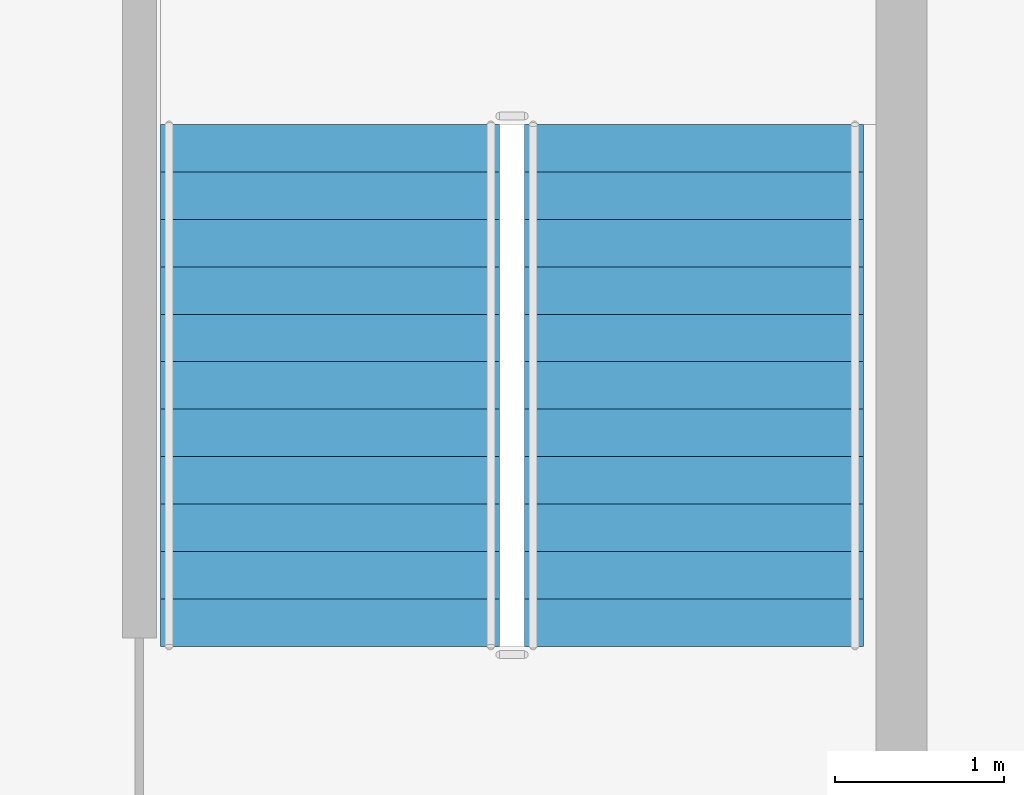
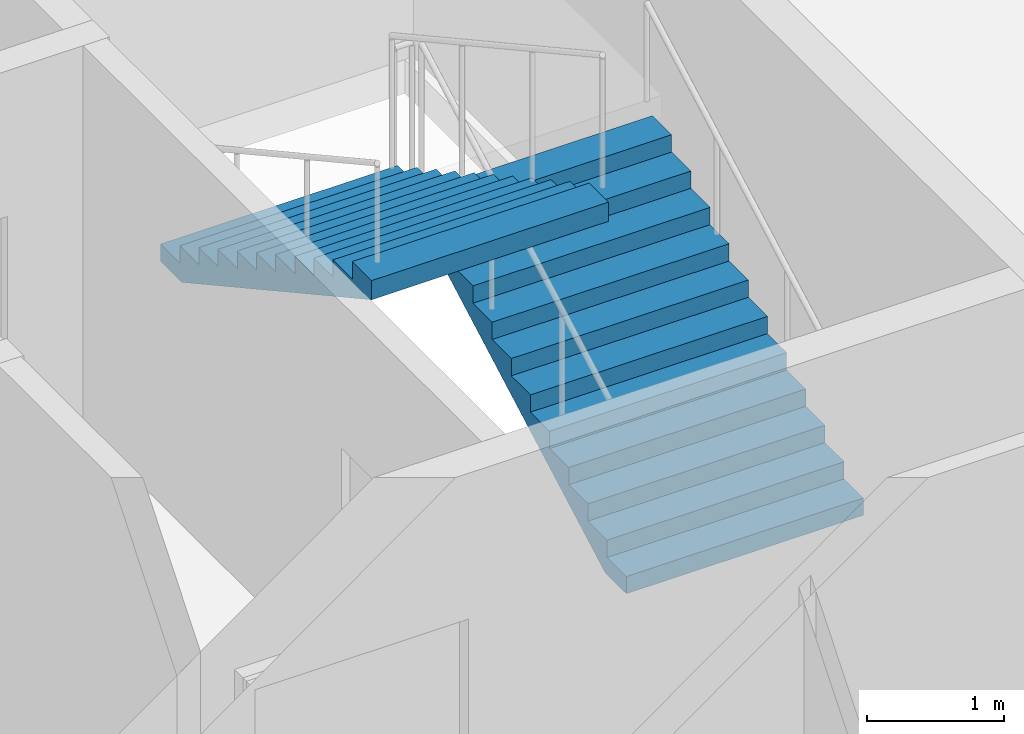
# One storey, part 10 of 17: 2 stair flights, 1 element without a shape of its own.
"""IFC4 building model written with IfcOpenShell, lengths in metres."""

from ifc_helpers import new_model, si_unit, direction, frame, origin, place, context, subcontext, project, spatial, polygons, material, type_object, element, aggregate, save


model = new_model("IFC4")

# Units and contexts
model_context = context("Model", 3, precision=1e-05, world=origin(), true_north=direction((0.0, 1.0)))
body_context = subcontext(model_context, "Body", "Model", "MODEL_VIEW")
ifc_project = project(units=[si_unit("LENGTHUNIT", "METRE"), si_unit("AREAUNIT", "SQUARE_METRE"), si_unit("VOLUMEUNIT", "CUBIC_METRE"), si_unit("PLANEANGLEUNIT", "RADIAN"), si_unit("MASSUNIT", "GRAM", prefix="KILO")], contexts=[model_context])

# Site, building, storey
site_placement = place(None, origin())
site = spatial("IfcSite", under=ifc_project, at=site_placement, CompositionType="ELEMENT")
building_placement = place(site_placement, origin())
building = spatial("IfcBuilding", under=site, at=building_placement, Name="Caravel Reach Hotel and Residences", CompositionType="ELEMENT")
storey_placement = place(building_placement, frame((0.0, 0.0, 222.0)))
storey = spatial("IfcBuildingStorey", under=building, at=storey_placement, Name="L56", CompositionType="ELEMENT", Elevation=222.0)

# Stair, stair flights
ifc_material_1 = material(Name="Concrete C40", Category="concrete")
stair_type = type_object("IfcStairType", Name="Core stair", PredefinedType="HALF_TURN_STAIR", material=ifc_material_1)
stair_placement = place(storey_placement, origin())
stair = element("IfcStair", 1, at=stair_placement, inside=storey, type_object=stair_type, Name="L56 Exit stair B", PredefinedType="HALF_TURN_STAIR")
ifc_material_2 = material(Name="Concrete C40", Category="concrete")
stair_flight_type = type_object("IfcStairFlightType", Name="Core stair flight", PredefinedType="STRAIGHT", material=ifc_material_2)
stair_flight_1_placement = place(storey_placement, frame((43.77490234375, 24.64990234375, 0.0), z_axis=(0.0, 0.0, 1.0), x_axis=(0.0, 1.0, 0.0)))
stair_flight_1 = element("IfcStairFlight", 2, at=stair_flight_1_placement, type_object=stair_flight_type, Name="ST-B flight 1", NumberOfRisers=12, NumberOfTreads=11, PredefinedType="STRAIGHT", RiserHeight=0.154166667, TreadLength=0.28, context=body_context, shape_type="Tessellation", body=[
    polygons([(0.3107950034306102, 1.0, 0.0), (0.3107950034306102, 0.6666666666666667, 0.0), (0.3107950034306102, 0.33333333333333337, 0.0), (0.3107950034306102, 0.0, 0.0), (0.3107950034306102, -0.33333333333333326, 0.0), (0.3107950034306102, -0.6666666666666667, 0.0), (0.3107950034306102, -1.0, 0.0), (3.081, 1.0, 1.524711087717319), (3.081, 0.6666666666666667, 1.524711087717319), (3.081, 0.33333333333333337, 1.524711087717319), (3.081, 0.0, 1.524711087717319), (3.081, -0.33333333333333326, 1.524711087717319), (3.081, -0.6666666666666667, 1.524711087717319), (3.081, -1.0, 1.524711087717319), (3.081, 1.0, 1.695833337), (3.081, 0.6666666666666667, 1.695833337), (3.081, 0.33333333333333337, 1.695833337), (3.081, 0.0, 1.695833337), (3.081, -0.33333333333333326, 1.695833337), (3.081, -0.6666666666666667, 1.695833337), (3.081, -1.0, 1.695833337), (2.8000000000000003, 1.0, 1.695833337), (2.8000000000000003, 0.6666666666666667, 1.695833337), (2.8000000000000003, 0.33333333333333337, 1.695833337), (2.8000000000000003, 0.0, 1.695833337), (2.8000000000000003, -0.33333333333333326, 1.695833337), (2.8000000000000003, -0.6666666666666667, 1.695833337), (2.8000000000000003, -1.0, 1.695833337), (2.8000000000000003, 1.0, 1.5416666700000001), (2.8000000000000003, 0.6666666666666667, 1.5416666700000001), (2.8000000000000003, 0.33333333333333337, 1.5416666700000001), (2.8000000000000003, 0.0, 1.5416666700000001), (2.8000000000000003, -0.33333333333333326, 1.5416666700000001), (2.8000000000000003, -0.6666666666666667, 1.5416666700000001), (2.8000000000000003, -1.0, 1.5416666700000001), (2.5200000000000005, 1.0, 1.5416666700000001), (2.5200000000000005, 0.6666666666666667, 1.5416666700000001), (2.5200000000000005, 0.33333333333333337, 1.5416666700000001), (2.5200000000000005, 0.0, 1.5416666700000001), (2.5200000000000005, -0.33333333333333326, 1.5416666700000001), (2.5200000000000005, -0.6666666666666667, 1.5416666700000001), (2.5200000000000005, -1.0, 1.5416666700000001), (2.5200000000000005, 1.0, 1.387500003), (2.5200000000000005, 0.6666666666666667, 1.387500003), (2.5200000000000005, 0.33333333333333337, 1.387500003), (2.5200000000000005, 0.0, 1.387500003), (2.5200000000000005, -0.33333333333333326, 1.387500003), (2.5200000000000005, -0.6666666666666667, 1.387500003), (2.5200000000000005, -1.0, 1.387500003), (2.24, 1.0, 1.387500003), (2.24, 0.6666666666666667, 1.387500003), (2.24, 0.33333333333333337, 1.387500003), (2.24, 0.0, 1.387500003), (2.24, -0.33333333333333326, 1.387500003), (2.24, -0.6666666666666667, 1.387500003), (2.24, -1.0, 1.387500003), (2.24, 1.0, 1.233333336), (2.24, 0.6666666666666667, 1.233333336), (2.24, 0.33333333333333337, 1.233333336), (2.24, 0.0, 1.233333336), (2.24, -0.33333333333333326, 1.233333336), (2.24, -0.6666666666666667, 1.233333336), (2.24, -1.0, 1.233333336), (1.9600000000000002, 1.0, 1.233333336), (1.9600000000000002, 0.6666666666666667, 1.233333336), (1.9600000000000002, 0.33333333333333337, 1.233333336), (1.9600000000000002, 0.0, 1.233333336), (1.9600000000000002, -0.33333333333333326, 1.233333336), (1.9600000000000002, -0.6666666666666667, 1.233333336), (1.9600000000000002, -1.0, 1.233333336), (1.9600000000000002, 1.0, 1.0791666690000001), (1.9600000000000002, 0.6666666666666667, 1.0791666690000001), (1.9600000000000002, 0.33333333333333337, 1.0791666690000001), (1.9600000000000002, 0.0, 1.0791666690000001), (1.9600000000000002, -0.33333333333333326, 1.0791666690000001), (1.9600000000000002, -0.6666666666666667, 1.0791666690000001), (1.9600000000000002, -1.0, 1.0791666690000001), (1.6800000000000002, 1.0, 1.0791666690000001), (1.6800000000000002, 0.6666666666666667, 1.0791666690000001), (1.6800000000000002, 0.33333333333333337, 1.0791666690000001), (1.6800000000000002, 0.0, 1.0791666690000001), (1.6800000000000002, -0.33333333333333326, 1.0791666690000001), (1.6800000000000002, -0.6666666666666667, 1.0791666690000001), (1.6800000000000002, -1.0, 1.0791666690000001), (1.6800000000000002, 1.0, 0.925000002), (1.6800000000000002, 0.6666666666666667, 0.925000002), (1.6800000000000002, 0.33333333333333337, 0.925000002), (1.6800000000000002, 0.0, 0.925000002), (1.6800000000000002, -0.33333333333333326, 0.925000002), (1.6800000000000002, -0.6666666666666667, 0.925000002), (1.6800000000000002, -1.0, 0.925000002), (1.4000000000000001, 1.0, 0.925000002), (1.4000000000000001, 0.6666666666666667, 0.925000002), (1.4000000000000001, 0.33333333333333337, 0.925000002), (1.4000000000000001, 0.0, 0.925000002), (1.4000000000000001, -0.33333333333333326, 0.925000002), (1.4000000000000001, -0.6666666666666667, 0.925000002), (1.4000000000000001, -1.0, 0.925000002), (1.4000000000000001, 1.0, 0.7708333350000001), (1.4000000000000001, 0.6666666666666667, 0.7708333350000001), (1.4000000000000001, 0.33333333333333337, 0.7708333350000001), (1.4000000000000001, 0.0, 0.7708333350000001), (1.4000000000000001, -0.33333333333333326, 0.7708333350000001), (1.4000000000000001, -0.6666666666666667, 0.7708333350000001), (1.4000000000000001, -1.0, 0.7708333350000001), (1.12, 1.0, 0.7708333350000001), (1.12, 0.6666666666666667, 0.7708333350000001), (1.12, 0.33333333333333337, 0.7708333350000001), (1.12, 0.0, 0.7708333350000001), (1.12, -0.33333333333333326, 0.7708333350000001), (1.12, -0.6666666666666667, 0.7708333350000001), (1.12, -1.0, 0.7708333350000001), (1.12, 1.0, 0.616666668), (1.12, 0.6666666666666667, 0.616666668), (1.12, 0.33333333333333337, 0.616666668), (1.12, 0.0, 0.616666668), (1.12, -0.33333333333333326, 0.616666668), (1.12, -0.6666666666666667, 0.616666668), (1.12, -1.0, 0.616666668), (0.8400000000000001, 1.0, 0.616666668), (0.8400000000000001, 0.6666666666666667, 0.616666668), (0.8400000000000001, 0.33333333333333337, 0.616666668), (0.8400000000000001, 0.0, 0.616666668), (0.8400000000000001, -0.33333333333333326, 0.616666668), (0.8400000000000001, -0.6666666666666667, 0.616666668), (0.8400000000000001, -1.0, 0.616666668), (0.8400000000000001, 1.0, 0.462500001), (0.8400000000000001, 0.6666666666666667, 0.462500001), (0.8400000000000001, 0.33333333333333337, 0.462500001), (0.8400000000000001, 0.0, 0.462500001), (0.8400000000000001, -0.33333333333333326, 0.462500001), (0.8400000000000001, -0.6666666666666667, 0.462500001), (0.8400000000000001, -1.0, 0.462500001), (0.56, 1.0, 0.462500001), (0.56, 0.6666666666666667, 0.462500001), (0.56, 0.33333333333333337, 0.462500001), (0.56, 0.0, 0.462500001), (0.56, -0.33333333333333326, 0.462500001), (0.56, -0.6666666666666667, 0.462500001), (0.56, -1.0, 0.462500001), (0.56, 1.0, 0.308333334), (0.56, 0.6666666666666667, 0.308333334), (0.56, 0.33333333333333337, 0.308333334), (0.56, 0.0, 0.308333334), (0.56, -0.33333333333333326, 0.308333334), (0.56, -0.6666666666666667, 0.308333334), (0.56, -1.0, 0.308333334), (0.28, 1.0, 0.308333334), (0.28, 0.6666666666666667, 0.308333334), (0.28, 0.33333333333333337, 0.308333334), (0.28, 0.0, 0.308333334), (0.28, -0.33333333333333326, 0.308333334), (0.28, -0.6666666666666667, 0.308333334), (0.28, -1.0, 0.308333334), (0.28, 1.0, 0.154166667), (0.28, 0.6666666666666667, 0.154166667), (0.28, 0.33333333333333337, 0.154166667), (0.28, 0.0, 0.154166667), (0.28, -0.33333333333333326, 0.154166667), (0.28, -0.6666666666666667, 0.154166667), (0.28, -1.0, 0.154166667), (-0.001, 1.0, 0.154166667), (-0.001, 0.6666666666666667, 0.154166667), (-0.001, 0.33333333333333337, 0.154166667), (-0.001, 0.0, 0.154166667), (-0.001, -0.33333333333333326, 0.154166667), (-0.001, -0.6666666666666667, 0.154166667), (-0.001, -1.0, 0.154166667), (-0.001, 1.0, 0.0), (-0.001, 0.6666666666666667, 0.0), (-0.001, 0.33333333333333337, 0.0), (-0.001, 0.0, 0.0), (-0.001, -0.33333333333333326, 0.0), (-0.001, -0.6666666666666667, 0.0), (-0.001, -1.0, 0.0)], [[[169, 162, 155, 148, 141, 134, 127, 120, 113, 106, 99, 92, 85, 78, 71, 64, 57, 50, 43, 36, 29, 22, 15, 8, 1]], [[7, 14, 21, 28, 35, 42, 49, 56, 63, 70, 77, 84, 91, 98, 105, 112, 119, 126, 133, 140, 147, 154, 161, 168, 175]], [[1, 8, 9, 2]], [[2, 9, 10, 3]], [[3, 10, 11, 4]], [[4, 11, 12, 5]], [[5, 12, 13, 6]], [[6, 13, 14, 7]], [[8, 15, 16, 9]], [[9, 16, 17, 10]], [[10, 17, 18, 11]], [[11, 18, 19, 12]], [[12, 19, 20, 13]], [[13, 20, 21, 14]], [[15, 22, 23, 16]], [[16, 23, 24, 17]], [[17, 24, 25, 18]], [[18, 25, 26, 19]], [[19, 26, 27, 20]], [[20, 27, 28, 21]], [[22, 29, 30, 23]], [[23, 30, 31, 24]], [[24, 31, 32, 25]], [[25, 32, 33, 26]], [[26, 33, 34, 27]], [[27, 34, 35, 28]], [[29, 36, 37, 30]], [[30, 37, 38, 31]], [[31, 38, 39, 32]], [[32, 39, 40, 33]], [[33, 40, 41, 34]], [[34, 41, 42, 35]], [[36, 43, 44, 37]], [[37, 44, 45, 38]], [[38, 45, 46, 39]], [[39, 46, 47, 40]], [[40, 47, 48, 41]], [[41, 48, 49, 42]], [[43, 50, 51, 44]], [[44, 51, 52, 45]], [[45, 52, 53, 46]], [[46, 53, 54, 47]], [[47, 54, 55, 48]], [[48, 55, 56, 49]], [[50, 57, 58, 51]], [[51, 58, 59, 52]], [[52, 59, 60, 53]], [[53, 60, 61, 54]], [[54, 61, 62, 55]], [[55, 62, 63, 56]], [[57, 64, 65, 58]], [[58, 65, 66, 59]], [[59, 66, 67, 60]], [[60, 67, 68, 61]], [[61, 68, 69, 62]], [[62, 69, 70, 63]], [[64, 71, 72, 65]], [[65, 72, 73, 66]], [[66, 73, 74, 67]], [[67, 74, 75, 68]], [[68, 75, 76, 69]], [[69, 76, 77, 70]], [[71, 78, 79, 72]], [[72, 79, 80, 73]], [[73, 80, 81, 74]], [[74, 81, 82, 75]], [[75, 82, 83, 76]], [[76, 83, 84, 77]], [[78, 85, 86, 79]], [[79, 86, 87, 80]], [[80, 87, 88, 81]], [[81, 88, 89, 82]], [[82, 89, 90, 83]], [[83, 90, 91, 84]], [[85, 92, 93, 86]], [[86, 93, 94, 87]], [[87, 94, 95, 88]], [[88, 95, 96, 89]], [[89, 96, 97, 90]], [[90, 97, 98, 91]], [[92, 99, 100, 93]], [[93, 100, 101, 94]], [[94, 101, 102, 95]], [[95, 102, 103, 96]], [[96, 103, 104, 97]], [[97, 104, 105, 98]], [[99, 106, 107, 100]], [[100, 107, 108, 101]], [[101, 108, 109, 102]], [[102, 109, 110, 103]], [[103, 110, 111, 104]], [[104, 111, 112, 105]], [[106, 113, 114, 107]], [[107, 114, 115, 108]], [[108, 115, 116, 109]], [[109, 116, 117, 110]], [[110, 117, 118, 111]], [[111, 118, 119, 112]], [[113, 120, 121, 114]], [[114, 121, 122, 115]], [[115, 122, 123, 116]], [[116, 123, 124, 117]], [[117, 124, 125, 118]], [[118, 125, 126, 119]], [[120, 127, 128, 121]], [[121, 128, 129, 122]], [[122, 129, 130, 123]], [[123, 130, 131, 124]], [[124, 131, 132, 125]], [[125, 132, 133, 126]], [[127, 134, 135, 128]], [[128, 135, 136, 129]], [[129, 136, 137, 130]], [[130, 137, 138, 131]], [[131, 138, 139, 132]], [[132, 139, 140, 133]], [[134, 141, 142, 135]], [[135, 142, 143, 136]], [[136, 143, 144, 137]], [[137, 144, 145, 138]], [[138, 145, 146, 139]], [[139, 146, 147, 140]], [[141, 148, 149, 142]], [[142, 149, 150, 143]], [[143, 150, 151, 144]], [[144, 151, 152, 145]], [[145, 152, 153, 146]], [[146, 153, 154, 147]], [[148, 155, 156, 149]], [[149, 156, 157, 150]], [[150, 157, 158, 151]], [[151, 158, 159, 152]], [[152, 159, 160, 153]], [[153, 160, 161, 154]], [[155, 162, 163, 156]], [[156, 163, 164, 157]], [[157, 164, 165, 158]], [[158, 165, 166, 159]], [[159, 166, 167, 160]], [[160, 167, 168, 161]], [[162, 169, 170, 163]], [[163, 170, 171, 164]], [[164, 171, 172, 165]], [[165, 172, 173, 166]], [[166, 173, 174, 167]], [[167, 174, 175, 168]], [[169, 1, 2, 170]], [[170, 2, 3, 171]], [[171, 3, 4, 172]], [[172, 4, 5, 173]], [[173, 5, 6, 174]], [[174, 6, 7, 175]]], closed=True),
])
stair_flight_2_placement = place(storey_placement, frame((41.625, 27.72998046875, 1.85009765625), z_axis=(0.0, 0.0, 1.0), x_axis=(0.0, -1.0, 0.0)))
stair_flight_2 = element("IfcStairFlight", 3, at=stair_flight_2_placement, type_object=stair_flight_type, Name="ST-B flight 2", NumberOfRisers=12, NumberOfTreads=11, PredefinedType="STRAIGHT", RiserHeight=0.154166667, TreadLength=0.28, context=body_context, shape_type="Tessellation", body=[
    polygons([(0.3107950034306102, 1.0, 0.0), (0.3107950034306102, 0.6666666666666667, 0.0), (0.3107950034306102, 0.33333333333333337, 0.0), (0.3107950034306102, 0.0, 0.0), (0.3107950034306102, -0.33333333333333326, 0.0), (0.3107950034306102, -0.6666666666666667, 0.0), (0.3107950034306102, -1.0, 0.0), (3.081, 1.0, 1.524711087717319), (3.081, 0.6666666666666667, 1.524711087717319), (3.081, 0.33333333333333337, 1.524711087717319), (3.081, 0.0, 1.524711087717319), (3.081, -0.33333333333333326, 1.524711087717319), (3.081, -0.6666666666666667, 1.524711087717319), (3.081, -1.0, 1.524711087717319), (3.081, 1.0, 1.695833337), (3.081, 0.6666666666666667, 1.695833337), (3.081, 0.33333333333333337, 1.695833337), (3.081, 0.0, 1.695833337), (3.081, -0.33333333333333326, 1.695833337), (3.081, -0.6666666666666667, 1.695833337), (3.081, -1.0, 1.695833337), (2.8000000000000003, 1.0, 1.695833337), (2.8000000000000003, 0.6666666666666667, 1.695833337), (2.8000000000000003, 0.33333333333333337, 1.695833337), (2.8000000000000003, 0.0, 1.695833337), (2.8000000000000003, -0.33333333333333326, 1.695833337), (2.8000000000000003, -0.6666666666666667, 1.695833337), (2.8000000000000003, -1.0, 1.695833337), (2.8000000000000003, 1.0, 1.5416666700000001), (2.8000000000000003, 0.6666666666666667, 1.5416666700000001), (2.8000000000000003, 0.33333333333333337, 1.5416666700000001), (2.8000000000000003, 0.0, 1.5416666700000001), (2.8000000000000003, -0.33333333333333326, 1.5416666700000001), (2.8000000000000003, -0.6666666666666667, 1.5416666700000001), (2.8000000000000003, -1.0, 1.5416666700000001), (2.5200000000000005, 1.0, 1.5416666700000001), (2.5200000000000005, 0.6666666666666667, 1.5416666700000001), (2.5200000000000005, 0.33333333333333337, 1.5416666700000001), (2.5200000000000005, 0.0, 1.5416666700000001), (2.5200000000000005, -0.33333333333333326, 1.5416666700000001), (2.5200000000000005, -0.6666666666666667, 1.5416666700000001), (2.5200000000000005, -1.0, 1.5416666700000001), (2.5200000000000005, 1.0, 1.387500003), (2.5200000000000005, 0.6666666666666667, 1.387500003), (2.5200000000000005, 0.33333333333333337, 1.387500003), (2.5200000000000005, 0.0, 1.387500003), (2.5200000000000005, -0.33333333333333326, 1.387500003), (2.5200000000000005, -0.6666666666666667, 1.387500003), (2.5200000000000005, -1.0, 1.387500003), (2.24, 1.0, 1.387500003), (2.24, 0.6666666666666667, 1.387500003), (2.24, 0.33333333333333337, 1.387500003), (2.24, 0.0, 1.387500003), (2.24, -0.33333333333333326, 1.387500003), (2.24, -0.6666666666666667, 1.387500003), (2.24, -1.0, 1.387500003), (2.24, 1.0, 1.233333336), (2.24, 0.6666666666666667, 1.233333336), (2.24, 0.33333333333333337, 1.233333336), (2.24, 0.0, 1.233333336), (2.24, -0.33333333333333326, 1.233333336), (2.24, -0.6666666666666667, 1.233333336), (2.24, -1.0, 1.233333336), (1.9600000000000002, 1.0, 1.233333336), (1.9600000000000002, 0.6666666666666667, 1.233333336), (1.9600000000000002, 0.33333333333333337, 1.233333336), (1.9600000000000002, 0.0, 1.233333336), (1.9600000000000002, -0.33333333333333326, 1.233333336), (1.9600000000000002, -0.6666666666666667, 1.233333336), (1.9600000000000002, -1.0, 1.233333336), (1.9600000000000002, 1.0, 1.0791666690000001), (1.9600000000000002, 0.6666666666666667, 1.0791666690000001), (1.9600000000000002, 0.33333333333333337, 1.0791666690000001), (1.9600000000000002, 0.0, 1.0791666690000001), (1.9600000000000002, -0.33333333333333326, 1.0791666690000001), (1.9600000000000002, -0.6666666666666667, 1.0791666690000001), (1.9600000000000002, -1.0, 1.0791666690000001), (1.6800000000000002, 1.0, 1.0791666690000001), (1.6800000000000002, 0.6666666666666667, 1.0791666690000001), (1.6800000000000002, 0.33333333333333337, 1.0791666690000001), (1.6800000000000002, 0.0, 1.0791666690000001), (1.6800000000000002, -0.33333333333333326, 1.0791666690000001), (1.6800000000000002, -0.6666666666666667, 1.0791666690000001), (1.6800000000000002, -1.0, 1.0791666690000001), (1.6800000000000002, 1.0, 0.925000002), (1.6800000000000002, 0.6666666666666667, 0.925000002), (1.6800000000000002, 0.33333333333333337, 0.925000002), (1.6800000000000002, 0.0, 0.925000002), (1.6800000000000002, -0.33333333333333326, 0.925000002), (1.6800000000000002, -0.6666666666666667, 0.925000002), (1.6800000000000002, -1.0, 0.925000002), (1.4000000000000001, 1.0, 0.925000002), (1.4000000000000001, 0.6666666666666667, 0.925000002), (1.4000000000000001, 0.33333333333333337, 0.925000002), (1.4000000000000001, 0.0, 0.925000002), (1.4000000000000001, -0.33333333333333326, 0.925000002), (1.4000000000000001, -0.6666666666666667, 0.925000002), (1.4000000000000001, -1.0, 0.925000002), (1.4000000000000001, 1.0, 0.7708333350000001), (1.4000000000000001, 0.6666666666666667, 0.7708333350000001), (1.4000000000000001, 0.33333333333333337, 0.7708333350000001), (1.4000000000000001, 0.0, 0.7708333350000001), (1.4000000000000001, -0.33333333333333326, 0.7708333350000001), (1.4000000000000001, -0.6666666666666667, 0.7708333350000001), (1.4000000000000001, -1.0, 0.7708333350000001), (1.12, 1.0, 0.7708333350000001), (1.12, 0.6666666666666667, 0.7708333350000001), (1.12, 0.33333333333333337, 0.7708333350000001), (1.12, 0.0, 0.7708333350000001), (1.12, -0.33333333333333326, 0.7708333350000001), (1.12, -0.6666666666666667, 0.7708333350000001), (1.12, -1.0, 0.7708333350000001), (1.12, 1.0, 0.616666668), (1.12, 0.6666666666666667, 0.616666668), (1.12, 0.33333333333333337, 0.616666668), (1.12, 0.0, 0.616666668), (1.12, -0.33333333333333326, 0.616666668), (1.12, -0.6666666666666667, 0.616666668), (1.12, -1.0, 0.616666668), (0.8400000000000001, 1.0, 0.616666668), (0.8400000000000001, 0.6666666666666667, 0.616666668), (0.8400000000000001, 0.33333333333333337, 0.616666668), (0.8400000000000001, 0.0, 0.616666668), (0.8400000000000001, -0.33333333333333326, 0.616666668), (0.8400000000000001, -0.6666666666666667, 0.616666668), (0.8400000000000001, -1.0, 0.616666668), (0.8400000000000001, 1.0, 0.462500001), (0.8400000000000001, 0.6666666666666667, 0.462500001), (0.8400000000000001, 0.33333333333333337, 0.462500001), (0.8400000000000001, 0.0, 0.462500001), (0.8400000000000001, -0.33333333333333326, 0.462500001), (0.8400000000000001, -0.6666666666666667, 0.462500001), (0.8400000000000001, -1.0, 0.462500001), (0.56, 1.0, 0.462500001), (0.56, 0.6666666666666667, 0.462500001), (0.56, 0.33333333333333337, 0.462500001), (0.56, 0.0, 0.462500001), (0.56, -0.33333333333333326, 0.462500001), (0.56, -0.6666666666666667, 0.462500001), (0.56, -1.0, 0.462500001), (0.56, 1.0, 0.308333334), (0.56, 0.6666666666666667, 0.308333334), (0.56, 0.33333333333333337, 0.308333334), (0.56, 0.0, 0.308333334), (0.56, -0.33333333333333326, 0.308333334), (0.56, -0.6666666666666667, 0.308333334), (0.56, -1.0, 0.308333334), (0.28, 1.0, 0.308333334), (0.28, 0.6666666666666667, 0.308333334), (0.28, 0.33333333333333337, 0.308333334), (0.28, 0.0, 0.308333334), (0.28, -0.33333333333333326, 0.308333334), (0.28, -0.6666666666666667, 0.308333334), (0.28, -1.0, 0.308333334), (0.28, 1.0, 0.154166667), (0.28, 0.6666666666666667, 0.154166667), (0.28, 0.33333333333333337, 0.154166667), (0.28, 0.0, 0.154166667), (0.28, -0.33333333333333326, 0.154166667), (0.28, -0.6666666666666667, 0.154166667), (0.28, -1.0, 0.154166667), (-0.001, 1.0, 0.154166667), (-0.001, 0.6666666666666667, 0.154166667), (-0.001, 0.33333333333333337, 0.154166667), (-0.001, 0.0, 0.154166667), (-0.001, -0.33333333333333326, 0.154166667), (-0.001, -0.6666666666666667, 0.154166667), (-0.001, -1.0, 0.154166667), (-0.001, 1.0, 0.0), (-0.001, 0.6666666666666667, 0.0), (-0.001, 0.33333333333333337, 0.0), (-0.001, 0.0, 0.0), (-0.001, -0.33333333333333326, 0.0), (-0.001, -0.6666666666666667, 0.0), (-0.001, -1.0, 0.0)], [[[169, 162, 155, 148, 141, 134, 127, 120, 113, 106, 99, 92, 85, 78, 71, 64, 57, 50, 43, 36, 29, 22, 15, 8, 1]], [[7, 14, 21, 28, 35, 42, 49, 56, 63, 70, 77, 84, 91, 98, 105, 112, 119, 126, 133, 140, 147, 154, 161, 168, 175]], [[1, 8, 9, 2]], [[2, 9, 10, 3]], [[3, 10, 11, 4]], [[4, 11, 12, 5]], [[5, 12, 13, 6]], [[6, 13, 14, 7]], [[8, 15, 16, 9]], [[9, 16, 17, 10]], [[10, 17, 18, 11]], [[11, 18, 19, 12]], [[12, 19, 20, 13]], [[13, 20, 21, 14]], [[15, 22, 23, 16]], [[16, 23, 24, 17]], [[17, 24, 25, 18]], [[18, 25, 26, 19]], [[19, 26, 27, 20]], [[20, 27, 28, 21]], [[22, 29, 30, 23]], [[23, 30, 31, 24]], [[24, 31, 32, 25]], [[25, 32, 33, 26]], [[26, 33, 34, 27]], [[27, 34, 35, 28]], [[29, 36, 37, 30]], [[30, 37, 38, 31]], [[31, 38, 39, 32]], [[32, 39, 40, 33]], [[33, 40, 41, 34]], [[34, 41, 42, 35]], [[36, 43, 44, 37]], [[37, 44, 45, 38]], [[38, 45, 46, 39]], [[39, 46, 47, 40]], [[40, 47, 48, 41]], [[41, 48, 49, 42]], [[43, 50, 51, 44]], [[44, 51, 52, 45]], [[45, 52, 53, 46]], [[46, 53, 54, 47]], [[47, 54, 55, 48]], [[48, 55, 56, 49]], [[50, 57, 58, 51]], [[51, 58, 59, 52]], [[52, 59, 60, 53]], [[53, 60, 61, 54]], [[54, 61, 62, 55]], [[55, 62, 63, 56]], [[57, 64, 65, 58]], [[58, 65, 66, 59]], [[59, 66, 67, 60]], [[60, 67, 68, 61]], [[61, 68, 69, 62]], [[62, 69, 70, 63]], [[64, 71, 72, 65]], [[65, 72, 73, 66]], [[66, 73, 74, 67]], [[67, 74, 75, 68]], [[68, 75, 76, 69]], [[69, 76, 77, 70]], [[71, 78, 79, 72]], [[72, 79, 80, 73]], [[73, 80, 81, 74]], [[74, 81, 82, 75]], [[75, 82, 83, 76]], [[76, 83, 84, 77]], [[78, 85, 86, 79]], [[79, 86, 87, 80]], [[80, 87, 88, 81]], [[81, 88, 89, 82]], [[82, 89, 90, 83]], [[83, 90, 91, 84]], [[85, 92, 93, 86]], [[86, 93, 94, 87]], [[87, 94, 95, 88]], [[88, 95, 96, 89]], [[89, 96, 97, 90]], [[90, 97, 98, 91]], [[92, 99, 100, 93]], [[93, 100, 101, 94]], [[94, 101, 102, 95]], [[95, 102, 103, 96]], [[96, 103, 104, 97]], [[97, 104, 105, 98]], [[99, 106, 107, 100]], [[100, 107, 108, 101]], [[101, 108, 109, 102]], [[102, 109, 110, 103]], [[103, 110, 111, 104]], [[104, 111, 112, 105]], [[106, 113, 114, 107]], [[107, 114, 115, 108]], [[108, 115, 116, 109]], [[109, 116, 117, 110]], [[110, 117, 118, 111]], [[111, 118, 119, 112]], [[113, 120, 121, 114]], [[114, 121, 122, 115]], [[115, 122, 123, 116]], [[116, 123, 124, 117]], [[117, 124, 125, 118]], [[118, 125, 126, 119]], [[120, 127, 128, 121]], [[121, 128, 129, 122]], [[122, 129, 130, 123]], [[123, 130, 131, 124]], [[124, 131, 132, 125]], [[125, 132, 133, 126]], [[127, 134, 135, 128]], [[128, 135, 136, 129]], [[129, 136, 137, 130]], [[130, 137, 138, 131]], [[131, 138, 139, 132]], [[132, 139, 140, 133]], [[134, 141, 142, 135]], [[135, 142, 143, 136]], [[136, 143, 144, 137]], [[137, 144, 145, 138]], [[138, 145, 146, 139]], [[139, 146, 147, 140]], [[141, 148, 149, 142]], [[142, 149, 150, 143]], [[143, 150, 151, 144]], [[144, 151, 152, 145]], [[145, 152, 153, 146]], [[146, 153, 154, 147]], [[148, 155, 156, 149]], [[149, 156, 157, 150]], [[150, 157, 158, 151]], [[151, 158, 159, 152]], [[152, 159, 160, 153]], [[153, 160, 161, 154]], [[155, 162, 163, 156]], [[156, 163, 164, 157]], [[157, 164, 165, 158]], [[158, 165, 166, 159]], [[159, 166, 167, 160]], [[160, 167, 168, 161]], [[162, 169, 170, 163]], [[163, 170, 171, 164]], [[164, 171, 172, 165]], [[165, 172, 173, 166]], [[166, 173, 174, 167]], [[167, 174, 175, 168]], [[169, 1, 2, 170]], [[170, 2, 3, 171]], [[171, 3, 4, 172]], [[172, 4, 5, 173]], [[173, 5, 6, 174]], [[174, 6, 7, 175]]], closed=True),
])
aggregate(stair, [stair_flight_1, stair_flight_2])

save(model, "model.ifc")
